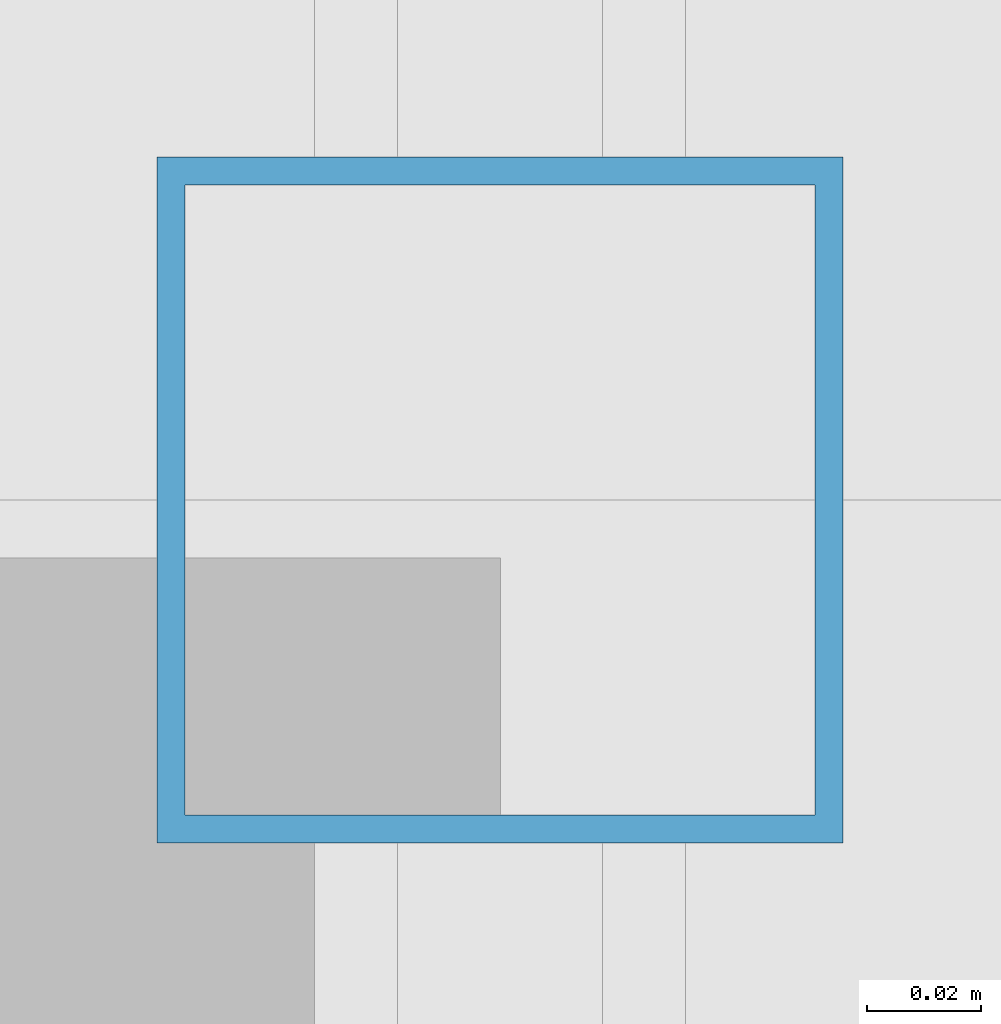
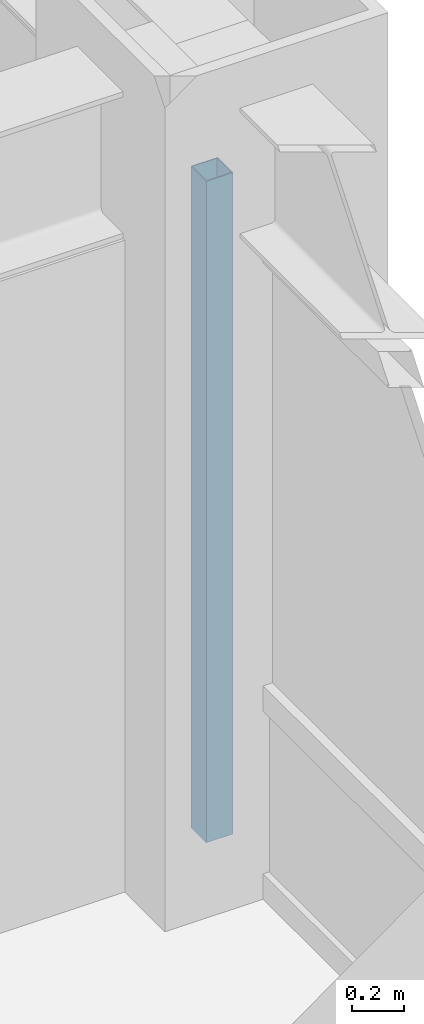
# One storey, part 10 of 25: 1 member, 1 element without a shape of its own.
"""IFC4 building model written with IfcOpenShell, lengths in metres."""

import ifcopenshell
import ifcopenshell.guid

model = None  # the IFC model being written
_history = None  # IfcOwnerHistory: only IFC2X3 demands one
_inside = {}  # id of a spatial element -> (the spatial element, [elements in it])
_under = {}  # id of a project, library or spatial element -> (it, [spatial elements below it])
_declared = {}  # id of a project -> (the project, [libraries it declares])
_typed = {}  # id of a type object -> (the type object, [elements of that type])
_made_of = {}  # id of a material, layer set ... -> (it, [elements and type objects made of it])


def new_model(schema):
    """Start an empty IFC model of exactly this schema.

    Asked for "IFC4X3", IfcOpenShell would pick the latest addendum, in which some entities
    have other attributes; the version numbers below select the first issue.
    IFC2X3 requires an IfcOwnerHistory on every rooted entity: one is made here for all.
    """
    global model, _history
    if schema == "IFC4X3":
        model = ifcopenshell.file(schema_version=(4, 3, 0, 0))
    else:
        model = ifcopenshell.file(schema=schema)
    _inside.clear()
    _under.clear()
    _declared.clear()
    _typed.clear()
    _made_of.clear()
    _history = None
    if model.schema == "IFC2X3":
        org = make("IfcOrganization", Name="unknown")
        user = make(
            "IfcPersonAndOrganization",
            ThePerson=make("IfcPerson", FamilyName="unknown"),
            TheOrganization=org,
        )
        app = make(
            "IfcApplication",
            ApplicationDeveloper=org,
            Version="unknown",
            ApplicationFullName="unknown",
            ApplicationIdentifier="unknown",
        )
        _history = make(
            "IfcOwnerHistory",
            OwningUser=user,
            OwningApplication=app,
            ChangeAction="ADDED",
            CreationDate=0,
        )
    return model


def make(cls, **values):
    """One entity of the class cls with the attributes given. An attribute that is None is left unset."""
    return model.create_entity(
        cls, **{name: value for name, value in values.items() if value is not None}
    )


def rooted(cls, **values):
    """An entity with a GlobalId (a new one), such as an element, a storey or a relation."""
    return make(cls, GlobalId=ifcopenshell.guid.new(), OwnerHistory=_history, **values)


def si_unit(unit_type, name, prefix=None):
    """IfcSIUnit, for example si_unit("LENGTHUNIT", "METRE", prefix="MILLI")."""
    return make("IfcSIUnit", UnitType=unit_type, Prefix=prefix, Name=name)


def assignment(units):
    """IfcUnitAssignment: the units of a project."""
    return None if units is None else make("IfcUnitAssignment", Units=units)


def point(xyz):
    """IfcCartesianPoint."""
    return None if xyz is None else make("IfcCartesianPoint", Coordinates=xyz)


def direction(xyz):
    """IfcDirection."""
    return None if xyz is None else make("IfcDirection", DirectionRatios=xyz)


def frame(location, z_axis=None, x_axis=None):
    """IfcAxis2Placement3D, a coordinate frame: its origin and axes. An axis left out is left unset."""
    return make(
        "IfcAxis2Placement3D",
        Location=point(location),
        Axis=direction(z_axis),
        RefDirection=direction(x_axis),
    )


def frame_2d(location, x_axis=None):
    """IfcAxis2Placement2D, a coordinate frame in the plane: its origin and x axis."""
    return make(
        "IfcAxis2Placement2D", Location=point(location), RefDirection=direction(x_axis)
    )


def origin():
    """The frame at (0, 0, 0) with its axes left unset."""
    return frame((0.0, 0.0, 0.0))


def origin_2d():
    """The frame at (0, 0) in the plane with its x axis left unset."""
    return frame_2d((0.0, 0.0))


def place(relative_to, where):
    """IfcLocalPlacement: puts the frame where relative to a parent placement (None: the world)."""
    return make(
        "IfcLocalPlacement", PlacementRelTo=relative_to, RelativePlacement=where
    )


def context(
    kind, dimensions, precision=None, world=None, true_north=None, identifier=None
):
    """IfcGeometricRepresentationContext, for example the 3D "Model" context."""
    return make(
        "IfcGeometricRepresentationContext",
        ContextIdentifier=identifier,
        ContextType=kind,
        CoordinateSpaceDimension=dimensions,
        Precision=precision,
        WorldCoordinateSystem=world,
        TrueNorth=true_north,
    )


def subcontext(parent, identifier, kind, view, scale=None):
    """IfcGeometricRepresentationSubContext, for example "Body" below "Model"."""
    return make(
        "IfcGeometricRepresentationSubContext",
        ContextIdentifier=identifier,
        ContextType=kind,
        ParentContext=parent,
        TargetScale=scale,
        TargetView=view,
    )


def project(units=None, contexts=None):
    """IfcProject with its units and contexts."""
    return rooted(
        "IfcProject",
        Name="project",
        RepresentationContexts=contexts,
        UnitsInContext=assignment(units),
    )


def spatial(cls, under=None, at=None, **own):
    """A site, building, storey or space (cls), placed at a placement, below another one or the project."""
    s = rooted(cls, ObjectPlacement=at, **own)
    if under is not None:
        _under.setdefault(under.id(), (under, []))[1].append(s)
    return s


def profile(cls, at=None, kind="AREA", **sizes):
    """A parametric profile (cls). Its sizes go by their IFC names, for example OverallWidth=200.0."""
    return make(cls, ProfileType=kind, Position=at, **sizes)


def hollow_rectangle(**sizes):
    """IfcRectangleHollowProfileDef."""
    return profile("IfcRectangleHollowProfileDef", **sizes)


def extrude(swept, where, along, depth):
    """IfcExtrudedAreaSolid: the profile swept, set in the frame where, extruded along a direction by depth."""
    return make(
        "IfcExtrudedAreaSolid",
        SweptArea=swept,
        Position=where,
        ExtrudedDirection=direction(along),
        Depth=depth,
    )


def shape(context_of_items, identifier, shape_type, items):
    """IfcShapeRepresentation: the items that make up one representation, for example the "Body"."""
    return make(
        "IfcShapeRepresentation",
        ContextOfItems=context_of_items,
        RepresentationIdentifier=identifier,
        RepresentationType=shape_type,
        Items=items,
    )


def source(mapping_origin, context_of_items, identifier, shape_type, items):
    """IfcRepresentationMap: a shape defined once, which mapped items show again and again."""
    return make(
        "IfcRepresentationMap",
        MappingOrigin=mapping_origin,
        MappedRepresentation=shape(context_of_items, identifier, shape_type, items),
    )


def transform(
    local_origin,
    x_axis=None,
    y_axis=None,
    z_axis=None,
    scale=None,
    scale2=None,
    scale3=None,
    uniform=True,
):
    """IfcCartesianTransformationOperator3D, or its non-uniform kind. x_axis, y_axis, z_axis: its Axis1, 2, 3."""
    if uniform:
        return make(
            "IfcCartesianTransformationOperator3D",
            Axis1=direction(x_axis),
            Axis2=direction(y_axis),
            LocalOrigin=point(local_origin),
            Scale=scale,
            Axis3=direction(z_axis),
        )
    return make(
        "IfcCartesianTransformationOperator3DnonUniform",
        Axis1=direction(x_axis),
        Axis2=direction(y_axis),
        LocalOrigin=point(local_origin),
        Scale=scale,
        Axis3=direction(z_axis),
        Scale2=scale2,
        Scale3=scale3,
    )


def mapped(mapping_source, mapping_target):
    """IfcMappedItem: shows the shape of a source again, moved by a transform."""
    return make(
        "IfcMappedItem", MappingSource=mapping_source, MappingTarget=mapping_target
    )


def material(Name=None, Category=None):
    """IfcMaterial."""
    return make("IfcMaterial", Name=Name, Category=Category)


def material_profile(
    of_material, cross_section, Name=None, Category=None, Priority=None
):
    """IfcMaterialProfile: a cross section and its material."""
    return make(
        "IfcMaterialProfile",
        Name=Name,
        Material=of_material,
        Profile=cross_section,
        Priority=Priority,
        Category=Category,
    )


def profile_set(profiles, Name=None, composite=None):
    """IfcMaterialProfileSet."""
    return make(
        "IfcMaterialProfileSet",
        Name=Name,
        MaterialProfiles=profiles,
        CompositeProfile=composite,
    )


def made_of(thing, what):
    """Note that an element or type object is made of a material, layer set ...; save() writes the relation."""
    if what is not None:
        _made_of.setdefault(what.id(), (what, []))[1].append(thing)
    return thing


def type_object(cls, material=None, **own):
    """A type object (cls), such as IfcWallType, which elements share."""
    return made_of(rooted(cls, **own), material)


def element(
    cls,
    number,
    at=None,
    inside=None,
    cuts=None,
    type_object=None,
    material=None,
    context=None,
    identifier="Body",
    shape_type=None,
    held_by="IfcProductDefinitionShape",
    body=None,
    shapes=None,
    **own,
):
    """One element of the class cls, such as IfcWall. Its Tag is "e" and its number.

    at: its placement. inside: the storey or other place that contains it. cuts: it is an
    opening in that element (IfcRelVoidsElement). A single representation is given by context,
    identifier, shape_type and body (its items); several are given by shapes. held_by: the class
    of the entity that holds the representations. save() writes the other relations.
    """
    e = rooted(cls, Tag="e%d" % number, ObjectPlacement=at, **own)
    if body is not None:
        shapes = [shape(context, identifier, shape_type, body)]
    if shapes is not None:
        e.Representation = make(held_by, Representations=shapes)
    if inside is not None:
        _inside.setdefault(inside.id(), (inside, []))[1].append(e)
    if cuts is not None:
        rooted(
            "IfcRelVoidsElement", RelatingBuildingElement=cuts, RelatedOpeningElement=e
        )
    if type_object is not None:
        _typed.setdefault(type_object.id(), (type_object, []))[1].append(e)
    return made_of(e, material)


def aggregate(whole, parts):
    """IfcRelAggregates: a whole, such as a stair, and the parts it consists of."""
    return rooted("IfcRelAggregates", RelatingObject=whole, RelatedObjects=parts)


def save(model, path):
    """Write the relations noted so far, then the file.

    IfcRelAggregates (storeys below a building ...), IfcRelContainedInSpatialStructure (elements
    in a storey), IfcRelDefinesByType, IfcRelAssociatesMaterial and IfcRelDeclares: one each for
    every whole, place, type object, material and project.
    """
    for whole, parts in _under.values():
        aggregate(whole, parts)
    for where, things in _inside.values():
        rooted(
            "IfcRelContainedInSpatialStructure",
            RelatedElements=things,
            RelatingStructure=where,
        )
    for kind, things in _typed.values():
        rooted("IfcRelDefinesByType", RelatedObjects=things, RelatingType=kind)
    for what, things in _made_of.values():
        rooted("IfcRelAssociatesMaterial", RelatedObjects=things, RelatingMaterial=what)
    for by, libraries in _declared.values():
        rooted("IfcRelDeclares", RelatingContext=by, RelatedDefinitions=libraries)
    model.write(path)


model = new_model("IFC4")

# Units and contexts
model_context = context("Model", 3, precision=1e-05, world=origin(), true_north=direction((0.0, 1.0)))
body_context = subcontext(model_context, "Body", "Model", "MODEL_VIEW")
ifc_project = project(units=[si_unit("LENGTHUNIT", "METRE"), si_unit("AREAUNIT", "SQUARE_METRE"), si_unit("VOLUMEUNIT", "CUBIC_METRE"), si_unit("PLANEANGLEUNIT", "RADIAN"), si_unit("MASSUNIT", "GRAM", prefix="KILO")], contexts=[model_context])

# Site, building, storey
site_placement = place(None, origin())
site = spatial("IfcSite", under=ifc_project, at=site_placement, CompositionType="ELEMENT")
building_placement = place(site_placement, origin())
building = spatial("IfcBuilding", under=site, at=building_placement, Name="Khorayat Bourse Tower", CompositionType="ELEMENT")
storey_placement = place(building_placement, frame((0.0, 0.0, 251.10009765625)))
storey = spatial("IfcBuildingStorey", under=building, at=storey_placement, Name="L59", CompositionType="ELEMENT", Elevation=251.10009765625)

# Curtain wall, member
ifc_material = material(Name="Aluminium EN AW-6063 T6", Category="aluminium")
curtain_wall_type = type_object("IfcCurtainWallType", Name="CW-SYS-03", PredefinedType="NOTDEFINED", material=ifc_material)
curtain_wall_placement = place(storey_placement, origin())
curtain_wall = element("IfcCurtainWall", 1, at=curtain_wall_placement, inside=storey, type_object=curtain_wall_type, Name="L59 Curtain Wall CW-L59-E1", PredefinedType="NOTDEFINED")
ifc_material_profile = material_profile(ifc_material, hollow_rectangle(XDim=0.1201171875, YDim=0.1201171875, WallThickness=0.0048828125, at=origin_2d()), Name="ALU 120x120x5")
ifc_profile_set = profile_set([ifc_material_profile], Name="Aluminium EN AW-6063 T6")
member_type = type_object("IfcMemberType", Name="CWM-VERT-120", PredefinedType="MULLION", material=ifc_profile_set)
shared_shape = source(origin(), body_context, "Body", "SweptSolid", [
    extrude(hollow_rectangle(XDim=0.1201171875, YDim=0.1201171875, WallThickness=0.0048828125, at=origin_2d()), origin(), (0.0, 0.0, 1.0), 3.1298828125),
])
member_placement = place(storey_placement, frame((30.0, 0.0, 0.0), z_axis=(0.0, 0.0, 1.0), x_axis=(-1.0, 0.0, 0.0)))
member = element("IfcMember", 2, at=member_placement, type_object=member_type, Name="CW-L59-E1 Vertical Mullion 2", PredefinedType="MULLION", context=body_context, shape_type="MappedRepresentation", body=[
    mapped(shared_shape, transform((0.0, 0.0, 0.0), scale=1.0)),
])
aggregate(curtain_wall, [member])

save(model, "model.ifc")
